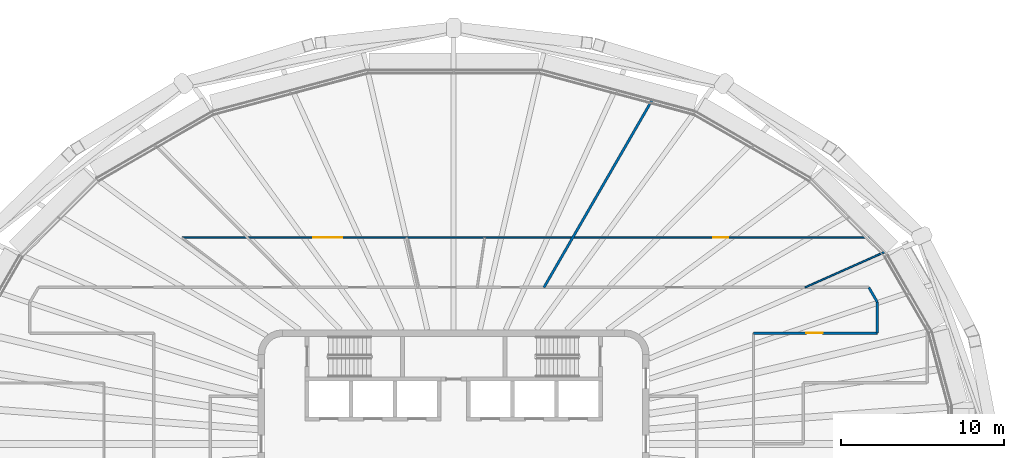
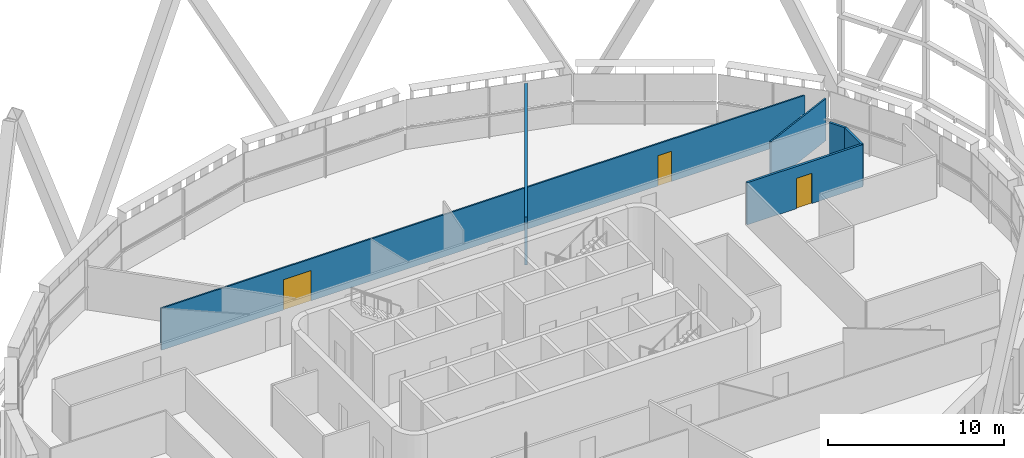
# One storey, part 15 of 23: 6 walls, 3 doors, 3 openings.
"""IFC4 building model written with IfcOpenShell, lengths in metres."""

from ifc_helpers import new_model, si_unit, direction, frame, frame_2d, origin, place, context, subcontext, project, spatial, rectangle, extrude, material, layer, layer_set, type_object, element, fill, save


model = new_model("IFC4")

# Units and contexts
model_context = context("Model", 3, precision=1e-05, world=origin(), true_north=direction((0.0, 1.0)))
body_context = subcontext(model_context, "Body", "Model", "MODEL_VIEW")
ifc_project = project(units=[si_unit("LENGTHUNIT", "METRE"), si_unit("AREAUNIT", "SQUARE_METRE"), si_unit("VOLUMEUNIT", "CUBIC_METRE"), si_unit("PLANEANGLEUNIT", "RADIAN"), si_unit("MASSUNIT", "GRAM", prefix="KILO")], contexts=[model_context])

# Site, building, storey
site_placement = place(None, origin())
site = spatial("IfcSite", under=ifc_project, at=site_placement, CompositionType="ELEMENT")
building_placement = place(site_placement, origin())
building = spatial("IfcBuilding", under=site, at=building_placement, Name="Sahrelin Media Tower", CompositionType="ELEMENT")
storey_placement = place(building_placement, frame((0.0, 0.0, 217.60009765625)))
storey = spatial("IfcBuildingStorey", under=building, at=storey_placement, Name="L46", CompositionType="ELEMENT", Elevation=217.60009765625)

# Wall
ifc_material_1 = material(Name="Fire-rated gypsum board partition")
ifc_layer_1 = layer(ifc_material_1, 0.14990234375)
ifc_layer_set_1 = layer_set([ifc_layer_1], Name="Fire-rated partition 150")
wall_type_1 = type_object("IfcWallType", Name="Fire-rated partition 150", PredefinedType="PARTITIONING", material=ifc_layer_set_1)
wall_1_placement = place(storey_placement, frame((25.47900390625, 9.60009765625, 0.0), z_axis=(0.0, 0.0, 1.0), x_axis=(0.499715696113, -0.8661894845, 0.0)))
element("IfcWall", 1, at=wall_1_placement, inside=storey, type_object=wall_type_1, Name="Wall", PredefinedType="PARTITIONING", context=body_context, shape_type="SweptSolid", body=[
    extrude(rectangle(XDim=1.04248046875, YDim=0.14990234375, at=frame_2d((0.521240234375, 0.0))), origin(), (0.0, 0.0, 1.0), 2.927001953125),
])

# Wall, opening, door
wall_2_placement = place(storey_placement, frame((18.39990234375, 6.800048828125, 0.0), z_axis=(0.0, 0.0, 1.0), x_axis=(1.0, 0.0, 0.0)))
wall_2 = element("IfcWall", 2, at=wall_2_placement, inside=storey, type_object=wall_type_1, Name="Wall", PredefinedType="PARTITIONING", context=body_context, shape_type="SweptSolid", body=[
    extrude(rectangle(XDim=7.60009765625, YDim=0.14990234375, at=frame_2d((3.800048828125, 0.0))), origin(), (0.0, 0.0, 1.0), 2.927001953125),
])
opening_1_placement = place(wall_2_placement, frame((3.2490234375, 0.0, 0.0)))
opening_1 = element("IfcOpeningElement", 3, at=opening_1_placement, cuts=wall_2, Name="Opening L46-D31", PredefinedType="OPENING", context=body_context, shape_type="SweptSolid", body=[
    extrude(rectangle(XDim=1.0, YDim=2.10009765625, at=frame_2d((0.5, 1.050048828125))), frame((0.0, 0.074951171875, 0.0), z_axis=(0.0, -1.0, 0.0), x_axis=(1.0, 0.0, 0.0)), (0.0, 0.0, 1.0), 0.14990234375),
])
ifc_material_2 = material(Name="Steel fire door leaf", Category="steel")
door_type_1 = type_object("IfcDoorType", Name="Fire door 1000 x 2100 EI 60", OperationType="NOTDEFINED", PredefinedType="DOOR", material=ifc_material_2)
door_1_placement = place(opening_1_placement, origin())
door_1 = element("IfcDoor", 4, at=door_1_placement, inside=storey, type_object=door_type_1, Name="Fire door", OperationType="SINGLE_SWING_RIGHT", OverallHeight=2.10009765625, OverallWidth=1.0, PredefinedType="DOOR", context=body_context, shape_type="SweptSolid", body=[
    extrude(rectangle(XDim=1.0, YDim=2.10009765625, at=frame_2d((0.5, 1.050048828125))), frame((0.0, 0.02490234375, 0.0), z_axis=(0.0, -1.0, 0.0), x_axis=(1.0, 0.0, 0.0)), (0.0, 0.0, 1.0), 0.050048828125),
])
fill(opening_1, door_1)

# Walls
wall_3_placement = place(storey_placement, frame((5.54296875, 9.60009765625, 0.0), z_axis=(0.0, 0.0, 1.0), x_axis=(0.499894249903, 0.866086450023, 0.0)))
element("IfcWall", 5, at=wall_3_placement, inside=storey, type_object=wall_type_1, Name="Wall", PredefinedType="PARTITIONING", context=body_context, shape_type="SweptSolid", body=[
    extrude(rectangle(XDim=13.2861328125, YDim=0.14990234375, at=frame_2d((6.64306640625, 0.0))), origin(), (0.0, 0.0, 1.0), 3.301513671875),
])
wall_4_placement = place(storey_placement, frame((26.0, 6.800048828125, 0.0), z_axis=(0.0, 0.0, 1.0), x_axis=(0.0, 1.0, 0.0)))
element("IfcWall", 6, at=wall_4_placement, inside=storey, type_object=wall_type_1, Name="Wall", PredefinedType="PARTITIONING", context=body_context, shape_type="SweptSolid", body=[
    extrude(rectangle(XDim=1.89697265625, YDim=0.14990234375, at=frame_2d((0.948486328125, 0.0))), origin(), (0.0, 0.0, 1.0), 2.927001953125),
])

# Wall, openings, doors
ifc_material_3 = material(Name="Gypsum board partition")
ifc_layer_2 = layer(ifc_material_3, 0.10009765625)
ifc_layer_set_2 = layer_set([ifc_layer_2], Name="Partition 100")
wall_type_2 = type_object("IfcWallType", Name="Partition 100", PredefinedType="PARTITIONING", material=ifc_layer_set_2)
wall_5_placement = place(storey_placement, frame((-16.65087890625, 12.659912109375, 0.0), z_axis=(0.0, 0.0, 1.0), x_axis=(1.0, 0.0, 0.0)))
wall_5 = element("IfcWall", 7, at=wall_5_placement, inside=storey, type_object=wall_type_2, Name="Wall", PredefinedType="PARTITIONING", context=body_context, shape_type="SweptSolid", body=[
    extrude(rectangle(XDim=42.228759765625, YDim=0.10009765625, at=frame_2d((21.1142578125, 0.0))), origin(), (0.0, 0.0, 1.0), 2.918212890625),
])
opening_2_placement = place(wall_5_placement, frame((8.027099609375, 0.0, 0.0)))
opening_2 = element("IfcOpeningElement", 8, at=opening_2_placement, cuts=wall_5, Name="Opening L46-D18", PredefinedType="OPENING", context=body_context, shape_type="SweptSolid", body=[
    extrude(rectangle(XDim=1.800048828125, YDim=2.10009765625, at=frame_2d((0.89990234375, 1.050048828125))), frame((0.0, 0.050048828125, 0.0), z_axis=(0.0, -1.0, 0.0), x_axis=(1.0, 0.0, 0.0)), (0.0, 0.0, 1.0), 0.10009765625),
])
opening_3_placement = place(wall_5_placement, frame((32.5947265625, 0.0, 0.0)))
opening_3 = element("IfcOpeningElement", 9, at=opening_3_placement, cuts=wall_5, Name="Opening L46-D33", PredefinedType="OPENING", context=body_context, shape_type="SweptSolid", body=[
    extrude(rectangle(XDim=0.89990234375, YDim=2.10009765625, at=frame_2d((0.449951171875, 1.050048828125))), frame((0.0, 0.050048828125, 0.0), z_axis=(0.0, -1.0, 0.0), x_axis=(1.0, 0.0, 0.0)), (0.0, 0.0, 1.0), 0.10009765625),
])
ifc_material_4 = material(Name="Timber door leaf", Category="wood")
door_type_2 = type_object("IfcDoorType", Name="Double door 1800 x 2100", OperationType="DOUBLE_DOOR_SINGLE_SWING", PredefinedType="DOOR", material=ifc_material_4)
door_2_placement = place(opening_2_placement, origin())
door_2 = element("IfcDoor", 10, at=door_2_placement, inside=storey, type_object=door_type_2, Name="Double door", OperationType="DOUBLE_DOOR_SINGLE_SWING", OverallHeight=2.10009765625, OverallWidth=1.800048828125, PredefinedType="DOOR", context=body_context, shape_type="SweptSolid", body=[
    extrude(rectangle(XDim=1.800048828125, YDim=2.10009765625, at=frame_2d((0.89990234375, 1.050048828125))), frame((0.0, 0.02490234375, 0.0), z_axis=(0.0, -1.0, 0.0), x_axis=(1.0, 0.0, 0.0)), (0.0, 0.0, 1.0), 0.050048828125),
])
fill(opening_2, door_2)
door_type_3 = type_object("IfcDoorType", Name="Single door 900 x 2100", OperationType="NOTDEFINED", PredefinedType="DOOR", material=ifc_material_4)
door_3_placement = place(opening_3_placement, origin())
door_3 = element("IfcDoor", 11, at=door_3_placement, inside=storey, type_object=door_type_3, Name="Single door", OperationType="SINGLE_SWING_LEFT", OverallHeight=2.10009765625, OverallWidth=0.89990234375, PredefinedType="DOOR", context=body_context, shape_type="SweptSolid", body=[
    extrude(rectangle(XDim=0.89990234375, YDim=2.10009765625, at=frame_2d((0.449951171875, 1.050048828125))), frame((0.0, 0.02490234375, 0.0), z_axis=(0.0, -1.0, 0.0), x_axis=(1.0, 0.0, 0.0)), (0.0, 0.0, 1.0), 0.050048828125),
])
fill(opening_3, door_3)

# Wall
wall_6_placement = place(storey_placement, frame((21.56298828125, 9.60009765625, 0.0), z_axis=(0.0, 0.0, 1.0), x_axis=(0.913508804139, 0.406818958212, 0.0)))
element("IfcWall", 12, at=wall_6_placement, inside=storey, type_object=wall_type_2, Name="Wall", PredefinedType="PARTITIONING", context=body_context, shape_type="SweptSolid", body=[
    extrude(rectangle(XDim=5.3583984375, YDim=0.10009765625, at=frame_2d((2.67919921875, 0.0))), origin(), (0.0, 0.0, 1.0), 2.927001953125),
])

save(model, "model.ifc")
